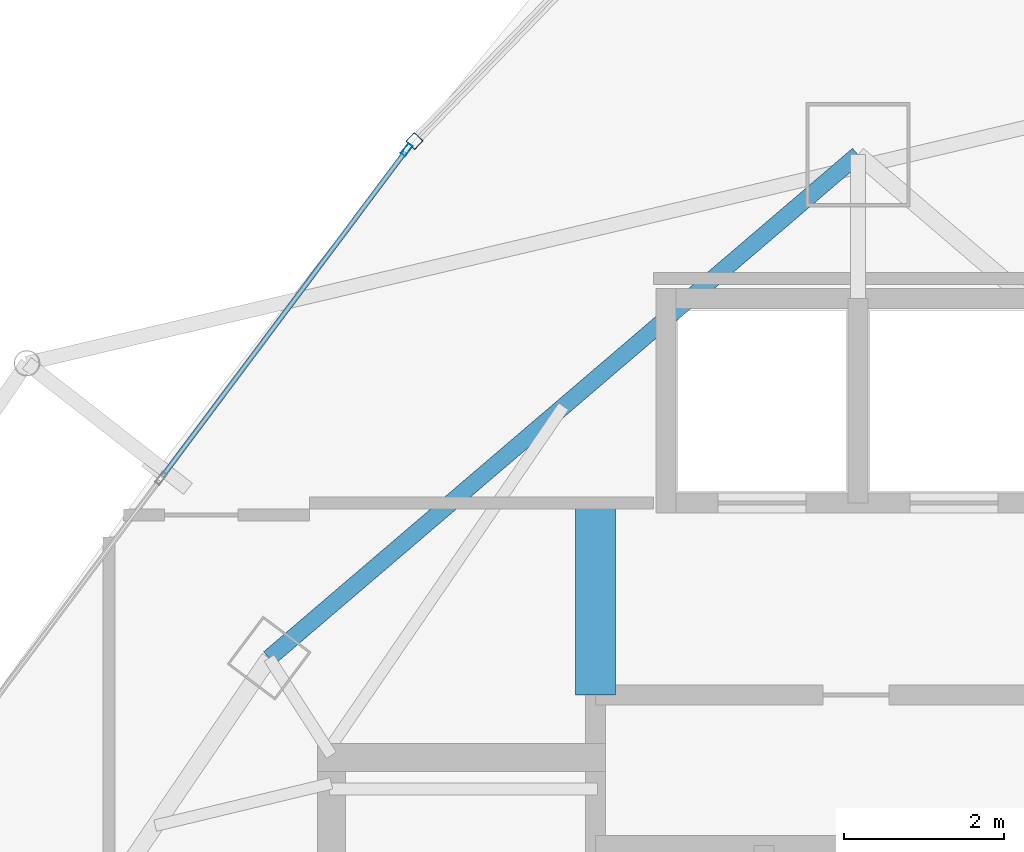
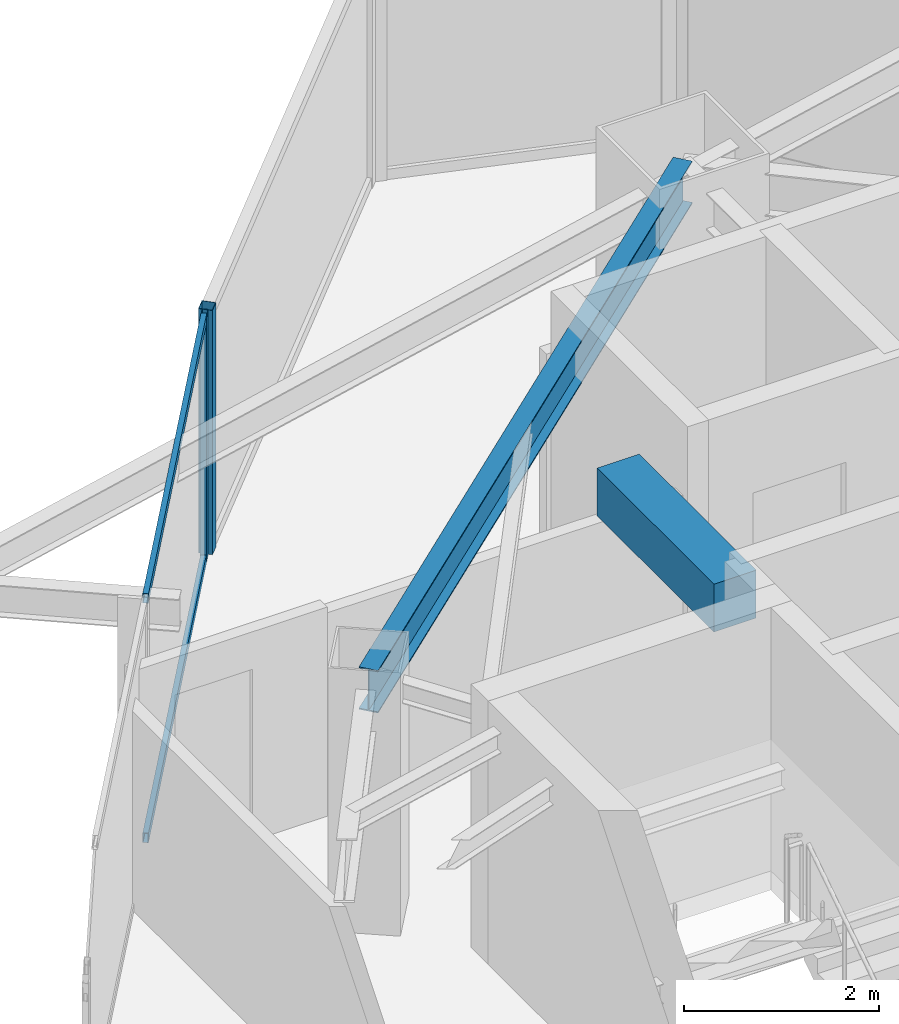
# One storey, part 24 of 34: 4 members, 2 beams, 2 elements without a shape of their own.
"""IFC4 building model written with IfcOpenShell, lengths in metres."""

from ifc_helpers import new_model, si_unit, direction, frame, origin, origin_2d, place, context, subcontext, project, spatial, rectangle, hollow_rectangle, i_section, extrude, material, layer, layer_set, material_profile, profile_set, type_object, element, aggregate, save


model = new_model("IFC4")

# Units and contexts
model_context = context("Model", 3, precision=1e-05, world=origin(), true_north=direction((0.0, 1.0)))
body_context = subcontext(model_context, "Body", "Model", "MODEL_VIEW")
ifc_project = project(units=[si_unit("LENGTHUNIT", "METRE"), si_unit("AREAUNIT", "SQUARE_METRE"), si_unit("VOLUMEUNIT", "CUBIC_METRE"), si_unit("PLANEANGLEUNIT", "RADIAN"), si_unit("MASSUNIT", "GRAM", prefix="KILO")], contexts=[model_context])

# Site, building, storey
site_placement = place(None, origin())
site = spatial("IfcSite", under=ifc_project, at=site_placement, CompositionType="ELEMENT")
building_placement = place(site_placement, origin())
building = spatial("IfcBuilding", under=site, at=building_placement, Name="Orvanel Arch Residences", CompositionType="ELEMENT")
storey_placement = place(building_placement, frame((0.0, 0.0, 199.699951171875)))
storey = spatial("IfcBuildingStorey", under=building, at=storey_placement, Name="L56", CompositionType="ELEMENT", Elevation=199.699951171875)

# Beam
ifc_material_1 = material(Name="Concrete S65 (65 MPa)", Category="concrete")
ifc_material_profile_1 = material_profile(ifc_material_1, rectangle(XDim=0.5, YDim=0.60009765625, at=origin_2d()), Name="RC500x600")
ifc_profile_set_1 = profile_set([ifc_material_profile_1], Name="Concrete S65 (65 MPa)")
beam_type_1 = type_object("IfcBeamType", Name="CB-500x600", PredefinedType="LINTEL", material=ifc_profile_set_1)
beam_1_placement = place(storey_placement, frame((29.72509765625, 34.64990234375, 2.760009765625), z_axis=(0.0, 1.0, 0.0), x_axis=(-1.0, 0.0, 0.0)))
element("IfcBeam", 1, at=beam_1_placement, inside=storey, type_object=beam_type_1, Name="L56 West Core Lobby Coupling Lintel Beam", PredefinedType="LINTEL", context=body_context, shape_type="SweptSolid", body=[
    extrude(rectangle(XDim=0.5, YDim=0.60009765625, at=origin_2d()), origin(), (0.0, 0.0, 1.0), 2.400146484375),
])

# Curtain wall, member
ifc_material_2 = material(Name="Bronze-anodised aluminium AA6063-T6", Category="aluminium")
ifc_layer_1 = layer(ifc_material_2, 0.18994140625)
ifc_layer_set_1 = layer_set([ifc_layer_1], Name="Bronze-anodised aluminium AA6063-T6")
curtain_wall_type_1 = type_object("IfcCurtainWallType", Name="CW5-CRN-SYS", PredefinedType="NOTDEFINED", material=ifc_layer_set_1)
curtain_wall_1_placement = place(storey_placement, origin())
curtain_wall_1 = element("IfcCurtainWall", 2, at=curtain_wall_1_placement, inside=storey, type_object=curtain_wall_type_1, Name="L56 CW5-CRN-SYS Unitised Curtain Wall", PredefinedType="NOTDEFINED")
ifc_material_profile_2 = material_profile(ifc_material_2, hollow_rectangle(XDim=0.14990234375, YDim=0.14990234375, WallThickness=0.0048828125, at=origin_2d()), Name="ALU150x150x5")
ifc_profile_set_2 = profile_set([ifc_material_profile_2], Name="Bronze-anodised aluminium AA6063-T6")
member_type_1 = type_object("IfcMemberType", Name="MUL-150x150", PredefinedType="MULLION", material=ifc_profile_set_2)
member_1_placement = place(storey_placement, frame((27.463134765625, 41.56884765625, 0.0), z_axis=(0.0, 0.0, 1.0), x_axis=(0.718665152295, -0.695356310733, 0.0)))
member_1 = element("IfcMember", 3, at=member_1_placement, type_object=member_type_1, Name="CW-S5 mullion 2", PredefinedType="MULLION", context=body_context, shape_type="SweptSolid", body=[
    extrude(hollow_rectangle(XDim=0.14990234375, YDim=0.14990234375, WallThickness=0.0048828125, at=origin_2d()), origin(), (0.0, 0.0, 1.0), 3.06005859375),
])
aggregate(curtain_wall_1, [member_1])

ifc_layer_2 = layer(ifc_material_2, 0.175048828125)
ifc_layer_set_2 = layer_set([ifc_layer_2], Name="Bronze-anodised aluminium AA6063-T6")
curtain_wall_type_2 = type_object("IfcCurtainWallType", Name="CW4-HI-SYS", PredefinedType="NOTDEFINED", material=ifc_layer_set_2)
curtain_wall_2_placement = place(storey_placement, origin())
curtain_wall_2 = element("IfcCurtainWall", 4, at=curtain_wall_2_placement, inside=storey, type_object=curtain_wall_type_2, Name="L56 CW4-HI-SYS Unitised Curtain Wall", PredefinedType="NOTDEFINED")
ifc_material_profile_3 = material_profile(ifc_material_2, hollow_rectangle(XDim=0.06494140625, YDim=0.159912109375, WallThickness=0.00390625, at=origin_2d()), Name="ALU160x65x4")
ifc_profile_set_3 = profile_set([ifc_material_profile_3], Name="Bronze-anodised aluminium AA6063-T6")
member_type_2 = type_object("IfcMemberType", Name="MUL-160x65", PredefinedType="MULLION", material=ifc_profile_set_3)
member_2_placement = place(storey_placement, frame((27.365478515625, 41.458984375, 0.0), z_axis=(0.0, 0.0, 1.0), x_axis=(0.800790783216, -0.598944172287, 0.0)))
member_2 = element("IfcMember", 5, at=member_2_placement, type_object=member_type_2, Name="CW-S4 mullion 1", PredefinedType="MULLION", context=body_context, shape_type="SweptSolid", body=[
    extrude(hollow_rectangle(XDim=0.06494140625, YDim=0.159912109375, WallThickness=0.00390625, at=origin_2d()), origin(), (0.0, 0.0, 1.0), 3.06005859375),
])

# Beam
ifc_material_3 = material(Name="Structural steel AS/NZS 3679.1 Grade 300 (300 MPa)", Category="steel")
ifc_material_profile_4 = material_profile(ifc_material_3, i_section(OverallWidth=0.208984375, OverallDepth=0.532958984375, WebThickness=0.01025390625, FlangeThickness=0.015625, at=origin_2d()), Name="530UB92.4")
ifc_profile_set_4 = profile_set([ifc_material_profile_4], Name="Structural steel AS/NZS 3679.1 Grade 300 (300 MPa)")
beam_type_2 = type_object("IfcBeamType", Name="SP-530UB", PredefinedType="SPANDREL", material=ifc_profile_set_4)
beam_2_placement = place(storey_placement, frame((33.0, 41.39794921875, 2.79296875), z_axis=(-0.760116518398, -0.649786794617, 0.0), x_axis=(0.649786794617, -0.760116518398, 0.0)))
element("IfcBeam", 6, at=beam_2_placement, inside=storey, type_object=beam_type_2, Name="L56 Perimeter Spandrel Beam 10", PredefinedType="SPANDREL", context=body_context, shape_type="SweptSolid", body=[
    extrude(i_section(OverallWidth=0.208984375, OverallDepth=0.532958984375, WebThickness=0.01025390625, FlangeThickness=0.015625, at=origin_2d()), origin(), (0.0, 0.0, 1.0), 9.67236328125),
])

# Member
ifc_material_profile_5 = material_profile(ifc_material_2, hollow_rectangle(XDim=0.06005859375, YDim=0.1201171875, WallThickness=0.00341796875, at=origin_2d()), Name="ALU120x60x3.5")
ifc_profile_set_5 = profile_set([ifc_material_profile_5], Name="Bronze-anodised aluminium AA6063-T6")
member_type_3 = type_object("IfcMemberType", Name="TRN-120x60", PredefinedType="USERDEFINED", material=ifc_profile_set_5)
member_3_placement = place(storey_placement, frame((27.345947265625, 41.432861328125, 0.030029296875), z_axis=(-0.598949016829, -0.800787159762, 0.0), x_axis=(0.800787159762, -0.598949016829, 0.0)))
member_3 = element("IfcMember", 7, at=member_3_placement, type_object=member_type_3, Name="CW-S4 transom 1.1", ObjectType="TRANSOM", PredefinedType="USERDEFINED", context=body_context, shape_type="SweptSolid", body=[
    extrude(hollow_rectangle(XDim=0.06005859375, YDim=0.1201171875, WallThickness=0.00341796875, at=origin_2d()), origin(), (0.0, 0.0, 1.0), 5.057373046875),
])

member_4_placement = place(storey_placement, frame((27.345947265625, 41.432861328125, 3.030029296875), z_axis=(-0.598949016829, -0.800787159762, 0.0), x_axis=(0.800787159762, -0.598949016829, 0.0)))
member_4 = element("IfcMember", 8, at=member_4_placement, type_object=member_type_3, Name="CW-S4 transom 1.2", ObjectType="TRANSOM", PredefinedType="USERDEFINED", context=body_context, shape_type="SweptSolid", body=[
    extrude(hollow_rectangle(XDim=0.06005859375, YDim=0.1201171875, WallThickness=0.00341796875, at=origin_2d()), origin(), (0.0, 0.0, 1.0), 5.057373046875),
])

aggregate(curtain_wall_2, [member_2, member_3, member_4])

save(model, "model.ifc")
